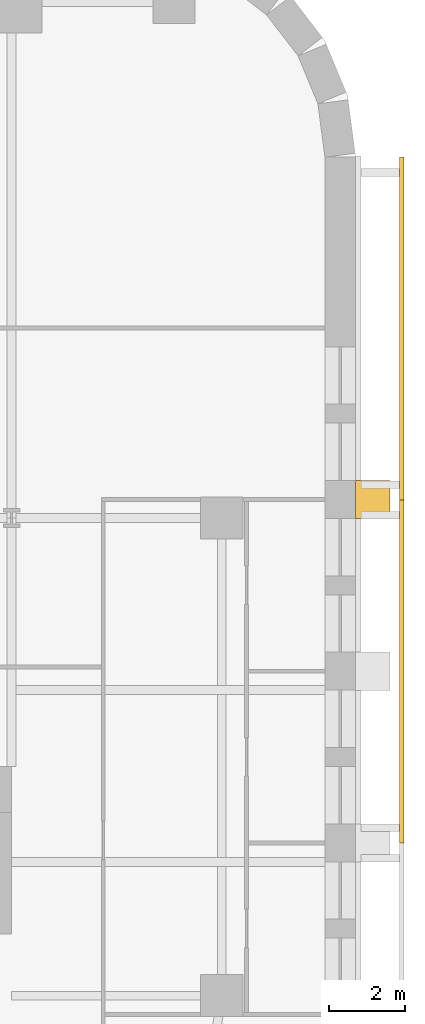
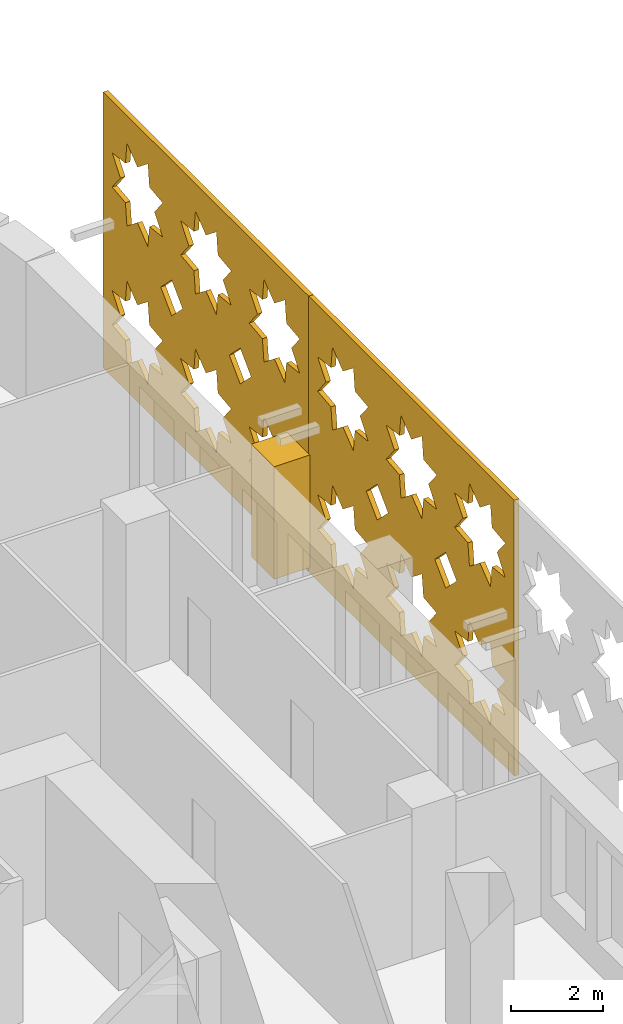
# One storey, part 15 of 15: 3 coverings.
"""IFC4 building model written with IfcOpenShell, lengths in metres."""

from ifc_helpers import new_model, si_unit, direction, frame, origin, place, context, subcontext, project, spatial, polyline, outline, extrude, material, layer, layer_set, type_object, element, save


model = new_model("IFC4")

# Units and contexts
model_context = context("Model", 3, precision=1e-05, world=origin(), true_north=direction((0.0, 1.0)))
body_context = subcontext(model_context, "Body", "Model", "MODEL_VIEW")
ifc_project = project(units=[si_unit("LENGTHUNIT", "METRE"), si_unit("AREAUNIT", "SQUARE_METRE"), si_unit("VOLUMEUNIT", "CUBIC_METRE"), si_unit("PLANEANGLEUNIT", "RADIAN"), si_unit("MASSUNIT", "GRAM", prefix="KILO")], contexts=[model_context])

# Site, building, storey
site_placement = place(None, origin())
site = spatial("IfcSite", under=ifc_project, at=site_placement, CompositionType="ELEMENT")
building_placement = place(site_placement, origin())
building = spatial("IfcBuilding", under=site, at=building_placement, Name="Zellij Exchange Tower", CompositionType="ELEMENT")
storey_placement = place(building_placement, frame((0.0, 0.0, 84.5)))
storey = spatial("IfcBuildingStorey", under=building, at=storey_placement, Name="L17", CompositionType="ELEMENT", Elevation=84.5)

# Coverings
ifc_material_1 = material(Name="Limestone cladding", Category="masonry")
covering_type_1 = type_object("IfcCoveringType", Name="ENV-CV2 Stone pier 1000x900", PredefinedType="CLADDING", material=ifc_material_1)
covering_1_placement = place(storey_placement, frame((0.0, 0.0, 0.800048828125)))
element("IfcCovering", 1, at=covering_1_placement, inside=storey, type_object=covering_type_1, Name="Stone pier", PredefinedType="CLADDING", context=body_context, shape_type="SweptSolid", body=[
    extrude(outline(polyline([(36.0, 4.48681640625), (36.0, 5.48681640625), (36.89990234375, 5.48681640625), (36.89990234375, 4.48681640625), (36.0, 4.48681640625)])), origin(), (0.0, 0.0, 1.0), 3.0),
])
ifc_material_2 = material(Name="Limestone screen", Category="masonry")
ifc_layer = layer(ifc_material_2, 0.1201171875)
ifc_layer_set = layer_set([ifc_layer], Name="Limestone screen")
covering_type_2 = type_object("IfcCoveringType", Name="ENV-SC1 Pierced stone screen 120", PredefinedType="USERDEFINED", material=ifc_layer_set)
covering_2_placement = place(storey_placement, frame((37.2099609375, -4.0, 0.300048828125), z_axis=(0.0, 0.0, 1.0), x_axis=(0.0, 1.0, 0.0)))
element("IfcCovering", 2, at=covering_2_placement, inside=storey, type_object=covering_type_2, Name="Pierced stone screen", ObjectType="SCREEN", PredefinedType="USERDEFINED", context=body_context, shape_type="SweptSolid", body=[
    extrude(outline(polyline([(0.0, 0.0), (8.973876953125, 0.0), (8.973876953125, 7.35009765625), (0.0, 7.35009765625), (0.0, 0.0)]), holes=[polyline([(2.60107421875, 2.29541015625), (2.020263671875, 2.362060546875), (1.95361328125, 2.94287109375), (1.49560546875, 2.579345703125), (1.03759765625, 2.94287109375), (0.97119140625, 2.362060546875), (0.39013671875, 2.29541015625), (0.75390625, 1.83740234375), (0.39013671875, 1.379638671875), (0.97119140625, 1.31298828125), (1.03759765625, 0.732177734375), (1.49560546875, 1.095703125), (1.95361328125, 0.732177734375), (2.020263671875, 1.31298828125), (2.60107421875, 1.379638671875), (2.237548828125, 1.83740234375), (2.60107421875, 2.29541015625)]), polyline([(2.60107421875, 5.970458984375), (2.020263671875, 6.037109375), (1.95361328125, 6.617919921875), (1.49560546875, 6.25439453125), (1.03759765625, 6.617919921875), (0.97119140625, 6.037109375), (0.39013671875, 5.970458984375), (0.75390625, 5.512451171875), (0.39013671875, 5.0546875), (0.97119140625, 4.98779296875), (1.03759765625, 4.406982421875), (1.49560546875, 4.770751953125), (1.95361328125, 4.406982421875), (2.020263671875, 4.98779296875), (2.60107421875, 5.0546875), (2.237548828125, 5.512451171875), (2.60107421875, 5.970458984375)]), polyline([(5.59228515625, 2.29541015625), (5.011474609375, 2.362060546875), (4.94482421875, 2.94287109375), (4.48681640625, 2.579345703125), (4.029052734375, 2.94287109375), (3.96240234375, 2.362060546875), (3.381591796875, 2.29541015625), (3.7451171875, 1.83740234375), (3.381591796875, 1.379638671875), (3.96240234375, 1.31298828125), (4.029052734375, 0.732177734375), (4.48681640625, 1.095703125), (4.94482421875, 0.732177734375), (5.011474609375, 1.31298828125), (5.59228515625, 1.379638671875), (5.228759765625, 1.83740234375), (5.59228515625, 2.29541015625)]), polyline([(5.59228515625, 5.970458984375), (5.011474609375, 6.037109375), (4.94482421875, 6.617919921875), (4.48681640625, 6.25439453125), (4.029052734375, 6.617919921875), (3.96240234375, 6.037109375), (3.381591796875, 5.970458984375), (3.7451171875, 5.512451171875), (3.381591796875, 5.0546875), (3.96240234375, 4.98779296875), (4.029052734375, 4.406982421875), (4.48681640625, 4.770751953125), (4.94482421875, 4.406982421875), (5.011474609375, 4.98779296875), (5.59228515625, 5.0546875), (5.228759765625, 5.512451171875), (5.59228515625, 5.970458984375)]), polyline([(8.58349609375, 2.29541015625), (8.002685546875, 2.362060546875), (7.93603515625, 2.94287109375), (7.478271484375, 2.579345703125), (7.020263671875, 2.94287109375), (6.95361328125, 2.362060546875), (6.372802734375, 2.29541015625), (6.736328125, 1.83740234375), (6.372802734375, 1.379638671875), (6.95361328125, 1.31298828125), (7.020263671875, 0.732177734375), (7.478271484375, 1.095703125), (7.93603515625, 0.732177734375), (8.002685546875, 1.31298828125), (8.58349609375, 1.379638671875), (8.219970703125, 1.83740234375), (8.58349609375, 2.29541015625)]), polyline([(8.58349609375, 5.970458984375), (8.002685546875, 6.037109375), (7.93603515625, 6.617919921875), (7.478271484375, 6.25439453125), (7.020263671875, 6.617919921875), (6.95361328125, 6.037109375), (6.372802734375, 5.970458984375), (6.736328125, 5.512451171875), (6.372802734375, 5.0546875), (6.95361328125, 4.98779296875), (7.020263671875, 4.406982421875), (7.478271484375, 4.770751953125), (7.93603515625, 4.406982421875), (8.002685546875, 4.98779296875), (8.58349609375, 5.0546875), (8.219970703125, 5.512451171875), (8.58349609375, 5.970458984375)]), polyline([(3.469970703125, 3.675048828125), (2.9912109375, 4.153564453125), (2.5126953125, 3.675048828125), (2.9912109375, 3.1962890625), (3.469970703125, 3.675048828125)]), polyline([(6.461181640625, 3.675048828125), (5.982421875, 4.153564453125), (5.50390625, 3.675048828125), (5.982421875, 3.1962890625), (6.461181640625, 3.675048828125)])]), frame((0.0, 0.06005859375, 0.0), z_axis=(0.0, -1.0, 0.0), x_axis=(1.0, 0.0, 0.0)), (0.0, 0.0, 1.0), 0.1201171875),
])
covering_3_placement = place(storey_placement, frame((37.2099609375, 4.973876953125, 0.300048828125), z_axis=(0.0, 0.0, 1.0), x_axis=(0.0, 1.0, 0.0)))
element("IfcCovering", 3, at=covering_3_placement, inside=storey, type_object=covering_type_2, Name="Pierced stone screen", ObjectType="SCREEN", PredefinedType="USERDEFINED", context=body_context, shape_type="SweptSolid", body=[
    extrude(outline(polyline([(0.0, 0.0), (8.973876953125, 0.0), (8.973876953125, 7.35009765625), (0.0, 7.35009765625), (0.0, 0.0)]), holes=[polyline([(2.60107421875, 2.29541015625), (2.020263671875, 2.362060546875), (1.95361328125, 2.94287109375), (1.49560546875, 2.579345703125), (1.03759765625, 2.94287109375), (0.97119140625, 2.362060546875), (0.39013671875, 2.29541015625), (0.75390625, 1.83740234375), (0.39013671875, 1.379638671875), (0.97119140625, 1.31298828125), (1.03759765625, 0.732177734375), (1.49560546875, 1.095703125), (1.95361328125, 0.732177734375), (2.020263671875, 1.31298828125), (2.60107421875, 1.379638671875), (2.237548828125, 1.83740234375), (2.60107421875, 2.29541015625)]), polyline([(2.60107421875, 5.970458984375), (2.020263671875, 6.037109375), (1.95361328125, 6.617919921875), (1.49560546875, 6.25439453125), (1.03759765625, 6.617919921875), (0.97119140625, 6.037109375), (0.39013671875, 5.970458984375), (0.75390625, 5.512451171875), (0.39013671875, 5.0546875), (0.97119140625, 4.98779296875), (1.03759765625, 4.406982421875), (1.49560546875, 4.770751953125), (1.95361328125, 4.406982421875), (2.020263671875, 4.98779296875), (2.60107421875, 5.0546875), (2.237548828125, 5.512451171875), (2.60107421875, 5.970458984375)]), polyline([(5.59228515625, 2.29541015625), (5.011474609375, 2.362060546875), (4.94482421875, 2.94287109375), (4.48681640625, 2.579345703125), (4.029052734375, 2.94287109375), (3.96240234375, 2.362060546875), (3.381591796875, 2.29541015625), (3.7451171875, 1.83740234375), (3.381591796875, 1.379638671875), (3.96240234375, 1.31298828125), (4.029052734375, 0.732177734375), (4.48681640625, 1.095703125), (4.94482421875, 0.732177734375), (5.011474609375, 1.31298828125), (5.59228515625, 1.379638671875), (5.228759765625, 1.83740234375), (5.59228515625, 2.29541015625)]), polyline([(5.59228515625, 5.970458984375), (5.011474609375, 6.037109375), (4.94482421875, 6.617919921875), (4.48681640625, 6.25439453125), (4.029052734375, 6.617919921875), (3.96240234375, 6.037109375), (3.381591796875, 5.970458984375), (3.7451171875, 5.512451171875), (3.381591796875, 5.0546875), (3.96240234375, 4.98779296875), (4.029052734375, 4.406982421875), (4.48681640625, 4.770751953125), (4.94482421875, 4.406982421875), (5.011474609375, 4.98779296875), (5.59228515625, 5.0546875), (5.228759765625, 5.512451171875), (5.59228515625, 5.970458984375)]), polyline([(8.58349609375, 2.29541015625), (8.002685546875, 2.362060546875), (7.93603515625, 2.94287109375), (7.478271484375, 2.579345703125), (7.020263671875, 2.94287109375), (6.95361328125, 2.362060546875), (6.372802734375, 2.29541015625), (6.736328125, 1.83740234375), (6.372802734375, 1.379638671875), (6.95361328125, 1.31298828125), (7.020263671875, 0.732177734375), (7.478271484375, 1.095703125), (7.93603515625, 0.732177734375), (8.002685546875, 1.31298828125), (8.58349609375, 1.379638671875), (8.219970703125, 1.83740234375), (8.58349609375, 2.29541015625)]), polyline([(8.58349609375, 5.970458984375), (8.002685546875, 6.037109375), (7.93603515625, 6.617919921875), (7.478271484375, 6.25439453125), (7.020263671875, 6.617919921875), (6.95361328125, 6.037109375), (6.372802734375, 5.970458984375), (6.736328125, 5.512451171875), (6.372802734375, 5.0546875), (6.95361328125, 4.98779296875), (7.020263671875, 4.406982421875), (7.478271484375, 4.770751953125), (7.93603515625, 4.406982421875), (8.002685546875, 4.98779296875), (8.58349609375, 5.0546875), (8.219970703125, 5.512451171875), (8.58349609375, 5.970458984375)]), polyline([(3.469970703125, 3.675048828125), (2.9912109375, 4.153564453125), (2.5126953125, 3.675048828125), (2.9912109375, 3.1962890625), (3.469970703125, 3.675048828125)]), polyline([(6.461181640625, 3.675048828125), (5.982421875, 4.153564453125), (5.50390625, 3.675048828125), (5.982421875, 3.1962890625), (6.461181640625, 3.675048828125)])]), frame((0.0, 0.06005859375, 0.0), z_axis=(0.0, -1.0, 0.0), x_axis=(1.0, 0.0, 0.0)), (0.0, 0.0, 1.0), 0.1201171875),
])

save(model, "model.ifc")
